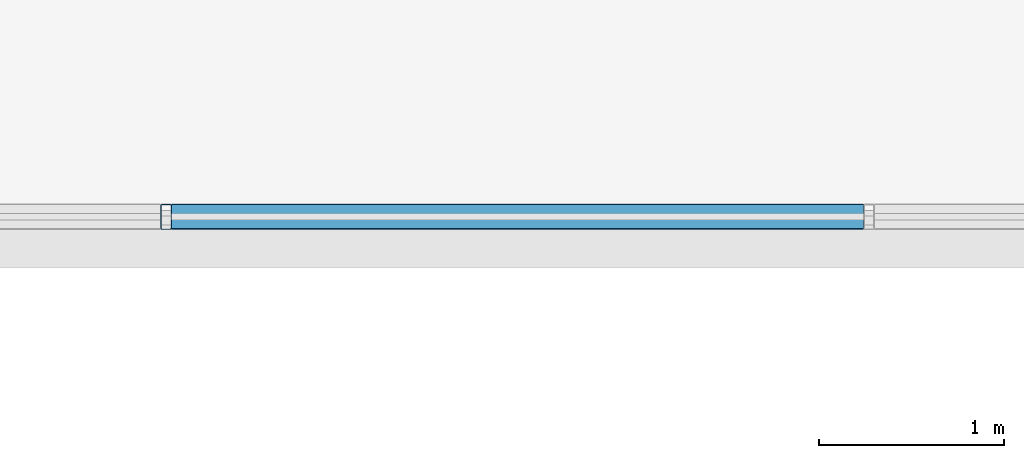
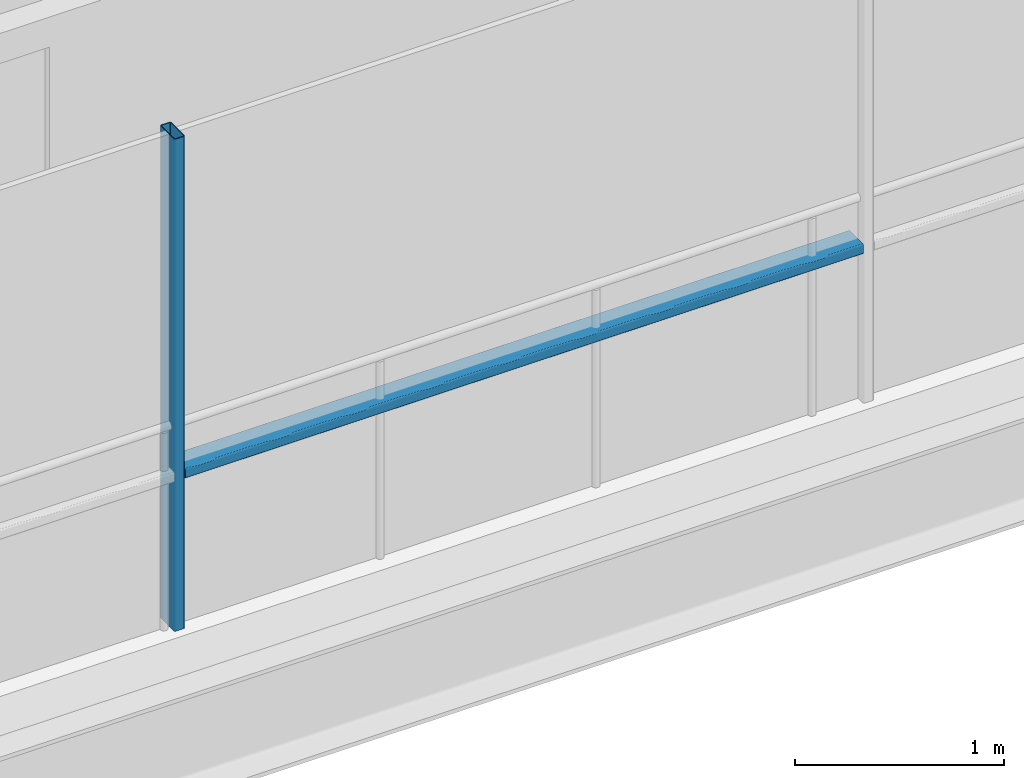
# One storey, part 11 of 41: 2 members, 1 element without a shape of its own.
"""IFC4 building model written with IfcOpenShell, lengths in metres."""

from ifc_helpers import new_model, si_unit, direction, frame, origin, origin_2d, place, context, subcontext, project, spatial, hollow_rectangle, extrude, material, layer, layer_set, material_profile, profile_set, type_object, element, aggregate, save


model = new_model("IFC4")

# Units and contexts
model_context = context("Model", 3, precision=1e-05, world=origin(), true_north=direction((0.0, 1.0)))
body_context = subcontext(model_context, "Body", "Model", "MODEL_VIEW")
ifc_project = project(units=[si_unit("LENGTHUNIT", "METRE"), si_unit("AREAUNIT", "SQUARE_METRE"), si_unit("VOLUMEUNIT", "CUBIC_METRE"), si_unit("PLANEANGLEUNIT", "RADIAN"), si_unit("MASSUNIT", "GRAM", prefix="KILO")], contexts=[model_context])

# Site, building, storey
site_placement = place(None, origin())
site = spatial("IfcSite", under=ifc_project, at=site_placement, CompositionType="ELEMENT")
building_placement = place(site_placement, origin())
building = spatial("IfcBuilding", under=site, at=building_placement, Name="Brevholm Reach", CompositionType="ELEMENT")
storey_placement = place(building_placement, frame((0.0, 0.0, 49.699951171875)))
storey = spatial("IfcBuildingStorey", under=building, at=storey_placement, Name="L13", CompositionType="ELEMENT", Elevation=49.699951171875)

# Curtain wall, members
ifc_material_1 = material(Name="Dark Anodised Aluminium 6063-T6 and Solar-Control Glass", Category="aluminium")
ifc_layer = layer(ifc_material_1, 0.139892578125)
ifc_layer_set = layer_set([ifc_layer], Name="Dark Anodised Aluminium 6063-T6 and Solar-Control Glass")
curtain_wall_type = type_object("IfcCurtainWallType", Name="CW-02", PredefinedType="NOTDEFINED", material=ifc_layer_set)
curtain_wall_placement = place(storey_placement, origin())
curtain_wall = element("IfcCurtainWall", 1, at=curtain_wall_placement, inside=storey, type_object=curtain_wall_type, Name="L13 Curtain Wall CW-02", PredefinedType="NOTDEFINED")
ifc_material_2 = material(Name="Dark Anodised Aluminium 6063-T6", Category="aluminium")
ifc_material_profile_1 = material_profile(ifc_material_2, hollow_rectangle(XDim=0.06005859375, YDim=0.139892578125, WallThickness=0.0048828125, InnerFilletRadius=0.0048828125, OuterFilletRadius=0.010009765625, at=origin_2d()), Name="RHS 140x60x5")
ifc_profile_set_1 = profile_set([ifc_material_profile_1], Name="Dark Anodised Aluminium 6063-T6")
member_type_1 = type_object("IfcMemberType", Name="CWM-140", PredefinedType="MULLION", material=ifc_profile_set_1)
member_1_placement = place(storey_placement, frame((30.050048828125, 26.6201171875, 0.0), z_axis=(0.0, 0.0, 1.0), x_axis=(-1.0, 0.0, 0.0)))
member_1 = element("IfcMember", 2, at=member_1_placement, type_object=member_type_1, Name="CM-140 Mullion 3", PredefinedType="MULLION", context=body_context, shape_type="SweptSolid", body=[
    extrude(hollow_rectangle(XDim=0.06005859375, YDim=0.139892578125, WallThickness=0.0048828125, InnerFilletRadius=0.0048828125, OuterFilletRadius=0.010009765625, at=origin_2d()), origin(), (0.0, 0.0, 1.0), 2.8701171875),
])
ifc_material_3 = material(Name="Dark Anodised Aluminium 6063-T6", Category="aluminium")
ifc_material_profile_2 = material_profile(ifc_material_3, hollow_rectangle(XDim=0.06005859375, YDim=0.139892578125, WallThickness=0.0048828125, InnerFilletRadius=0.0048828125, OuterFilletRadius=0.010009765625, at=origin_2d()), Name="RHS 140x60x5")
ifc_profile_set_2 = profile_set([ifc_material_profile_2], Name="Dark Anodised Aluminium 6063-T6")
member_type_2 = type_object("IfcMemberType", Name="CWT-140", PredefinedType="NOTDEFINED", material=ifc_profile_set_2)
member_2_placement = place(storey_placement, frame((33.820068359375, 26.6201171875, 0.900146484375), z_axis=(-1.0, 0.0, 0.0), x_axis=(0.0, 0.0, 1.0)))
member_2 = element("IfcMember", 3, at=member_2_placement, type_object=member_type_2, Name="CT-140 Transom 2.1", ObjectType="TRANSOM", PredefinedType="USERDEFINED", context=body_context, shape_type="SweptSolid", body=[
    extrude(hollow_rectangle(XDim=0.06005859375, YDim=0.139892578125, WallThickness=0.0048828125, InnerFilletRadius=0.0048828125, OuterFilletRadius=0.010009765625, at=origin_2d()), origin(), (0.0, 0.0, 1.0), 3.739990234375),
])
aggregate(curtain_wall, [member_1, member_2])

save(model, "model.ifc")
